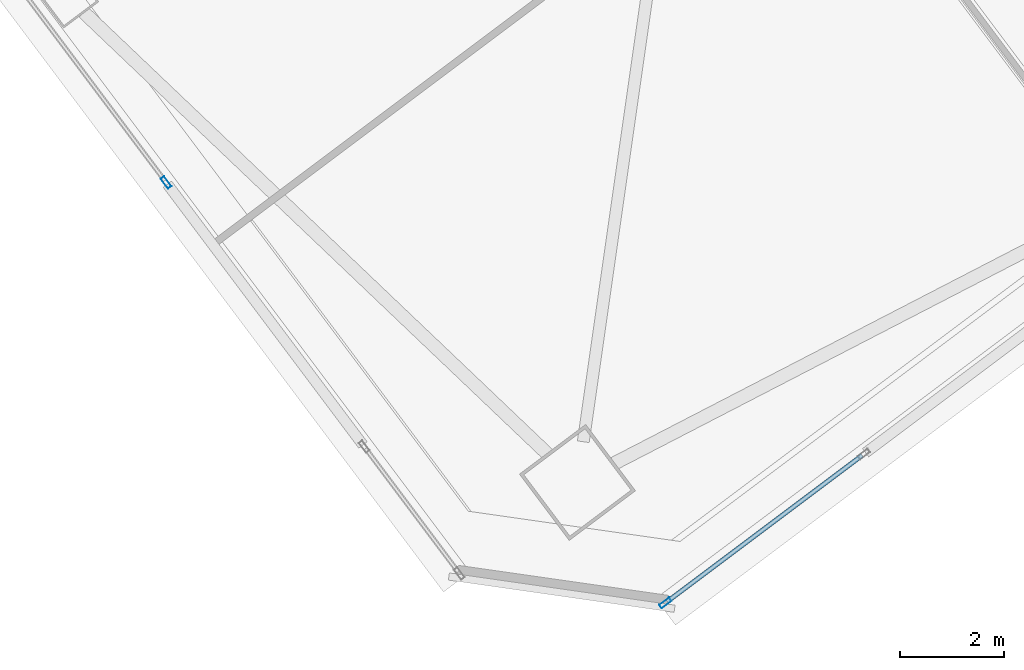
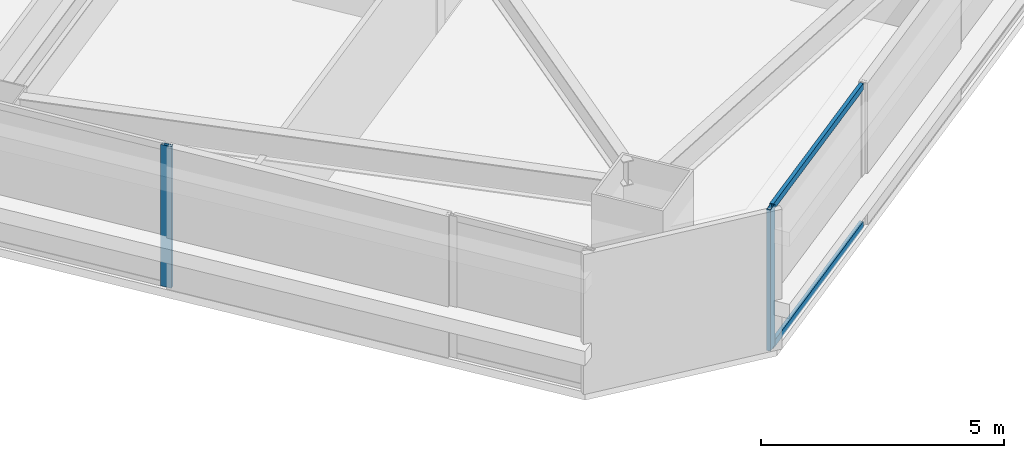
# One storey, part 21 of 51: 4 members, 2 elements without a shape of their own.
"""IFC4 building model written with IfcOpenShell, lengths in metres."""

from ifc_helpers import new_model, si_unit, direction, frame, origin, origin_2d, place, context, subcontext, project, spatial, hollow_rectangle, extrude, material, material_profile, profile_set, type_object, element, aggregate, save


model = new_model("IFC4")

# Units and contexts
model_context = context("Model", 3, precision=1e-05, world=origin(), true_north=direction((0.0, 1.0)))
body_context = subcontext(model_context, "Body", "Model", "MODEL_VIEW")
ifc_project = project(units=[si_unit("LENGTHUNIT", "METRE"), si_unit("AREAUNIT", "SQUARE_METRE"), si_unit("VOLUMEUNIT", "CUBIC_METRE"), si_unit("PLANEANGLEUNIT", "RADIAN"), si_unit("MASSUNIT", "GRAM", prefix="KILO")], contexts=[model_context])

# Site, building, storey
site_placement = place(None, origin())
site = spatial("IfcSite", under=ifc_project, at=site_placement, CompositionType="ELEMENT")
building_placement = place(site_placement, origin())
building = spatial("IfcBuilding", under=site, at=building_placement, Name="Tashvorn Skyway Center", CompositionType="ELEMENT")
storey_placement = place(building_placement, frame((0.0, 0.0, 49.449951171875)))
storey = spatial("IfcBuildingStorey", under=building, at=storey_placement, Name="L12", CompositionType="ELEMENT", Elevation=49.449951171875)

# Curtain wall, member
ifc_material = material(Name="Thermally broken bronze-anodized aluminium 6063-T6", Category="aluminium")
curtain_wall_type = type_object("IfcCurtainWallType", Name="CW-CW-Z1", PredefinedType="NOTDEFINED", material=ifc_material)
curtain_wall_1_placement = place(storey_placement, origin())
curtain_wall_1 = element("IfcCurtainWall", 1, at=curtain_wall_1_placement, inside=storey, type_object=curtain_wall_type, Name="Tower 2 L12 South Curtain Wall R Glazing Group 2", PredefinedType="NOTDEFINED")
ifc_material_profile_1 = material_profile(ifc_material, hollow_rectangle(XDim=0.0849609375, YDim=0.239990234375, WallThickness=0.0048828125, at=origin_2d()), Name="ALU-MULL-85x240")
ifc_profile_set_1 = profile_set([ifc_material_profile_1], Name="Thermally broken bronze-anodized aluminium 6063-T6")
member_type_1 = type_object("IfcMemberType", Name="CWM-CW-Z1", PredefinedType="MULLION", material=ifc_profile_set_1)
member_1_placement = place(storey_placement, frame((111.93798828125, 3.353515625, 0.0), z_axis=(0.0, 0.0, 1.0), x_axis=(0.600003280937, -0.799997539287, 0.0)))
member_1 = element("IfcMember", 2, at=member_1_placement, type_object=member_type_1, Name="CW-Z1 mullion 2", PredefinedType="MULLION", context=body_context, shape_type="SweptSolid", body=[
    extrude(hollow_rectangle(XDim=0.0849609375, YDim=0.239990234375, WallThickness=0.0048828125, at=origin_2d()), origin(), (0.0, 0.0, 1.0), 3.550048828125),
])

curtain_wall_2_placement = place(storey_placement, origin())
curtain_wall_2 = element("IfcCurtainWall", 3, at=curtain_wall_2_placement, inside=storey, type_object=curtain_wall_type, Name="Tower 2 L12 West Unitised Curtain Wall Glazing Group 2", PredefinedType="NOTDEFINED")
member_2_placement = place(storey_placement, frame((102.29443359375, 11.47412109375, 0.0), z_axis=(0.0, 0.0, 1.0), x_axis=(-0.799999999998, -0.600000000002, 0.0)))
member_2 = element("IfcMember", 4, at=member_2_placement, type_object=member_type_1, Name="CW-Z1 mullion 1", PredefinedType="MULLION", context=body_context, shape_type="SweptSolid", body=[
    extrude(hollow_rectangle(XDim=0.0849609375, YDim=0.239990234375, WallThickness=0.0048828125, at=origin_2d()), origin(), (0.0, 0.0, 1.0), 3.550048828125),
])
aggregate(curtain_wall_2, [member_2])

# Member
ifc_material_profile_2 = material_profile(ifc_material, hollow_rectangle(XDim=0.0849609375, YDim=0.1650390625, WallThickness=0.0048828125, at=origin_2d()), Name="ALU-TRAN-85x165")
ifc_profile_set_2 = profile_set([ifc_material_profile_2], Name="Thermally broken bronze-anodized aluminium 6063-T6")
member_type_2 = type_object("IfcMemberType", Name="CWT-CW-Z1", PredefinedType="USERDEFINED", material=ifc_profile_set_2)
member_3_placement = place(storey_placement, frame((115.7373046875, 6.202880859375, 0.04248046875), z_axis=(-0.800006224475, -0.59999170061, 0.0), x_axis=(0.59999170061, -0.800006224475, 0.0)))
member_3 = element("IfcMember", 5, at=member_3_placement, type_object=member_type_2, Name="CW-Z1 transom 1.1", ObjectType="TRANSOM", PredefinedType="USERDEFINED", context=body_context, shape_type="SweptSolid", body=[
    extrude(hollow_rectangle(XDim=0.0849609375, YDim=0.1650390625, WallThickness=0.0048828125, at=origin_2d()), origin(), (0.0, 0.0, 1.0), 4.706787109375),
])

member_4_placement = place(storey_placement, frame((115.7373046875, 6.202880859375, 3.507568359375), z_axis=(-0.800006224475, -0.59999170061, 0.0), x_axis=(0.59999170061, -0.800006224475, 0.0)))
member_4 = element("IfcMember", 6, at=member_4_placement, type_object=member_type_2, Name="CW-Z1 transom 1.2", ObjectType="TRANSOM", PredefinedType="USERDEFINED", context=body_context, shape_type="SweptSolid", body=[
    extrude(hollow_rectangle(XDim=0.0849609375, YDim=0.1650390625, WallThickness=0.0048828125, at=origin_2d()), origin(), (0.0, 0.0, 1.0), 4.706787109375),
])

aggregate(curtain_wall_1, [member_1, member_3, member_4])

save(model, "model.ifc")
